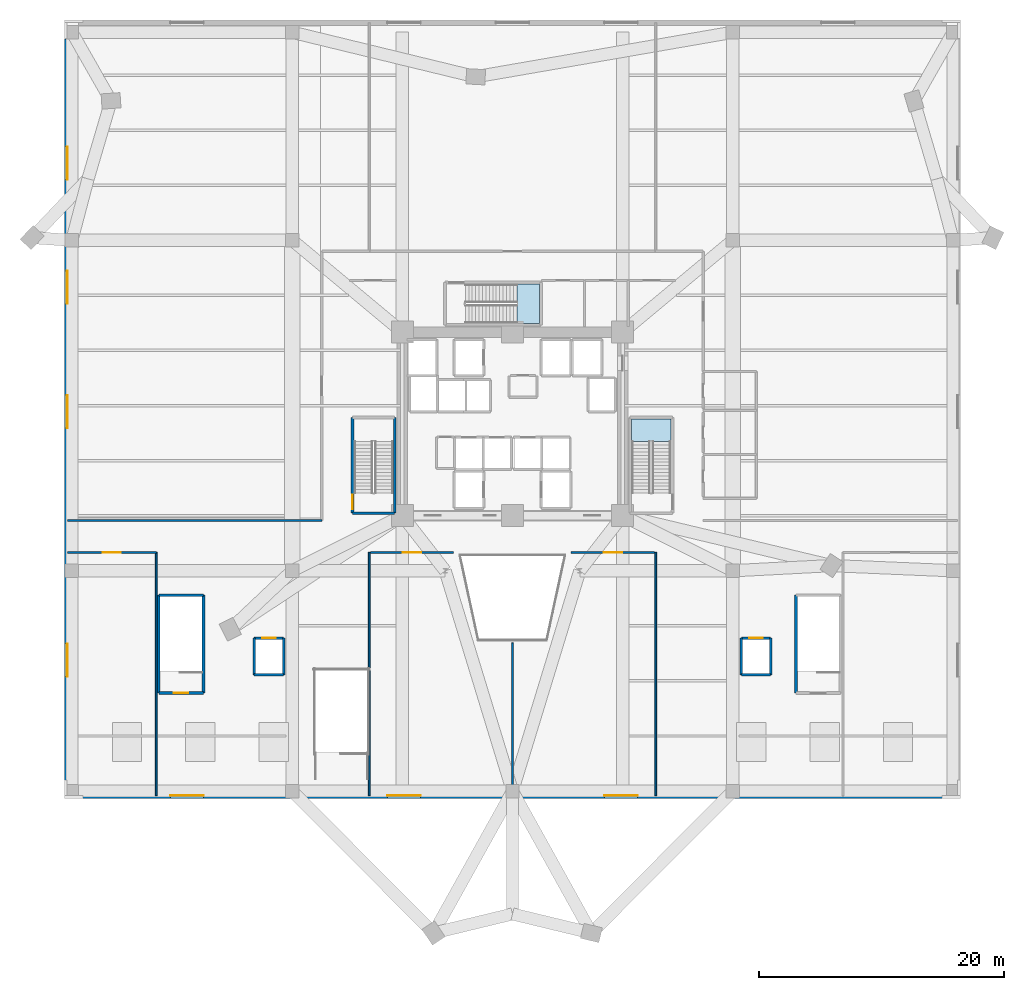
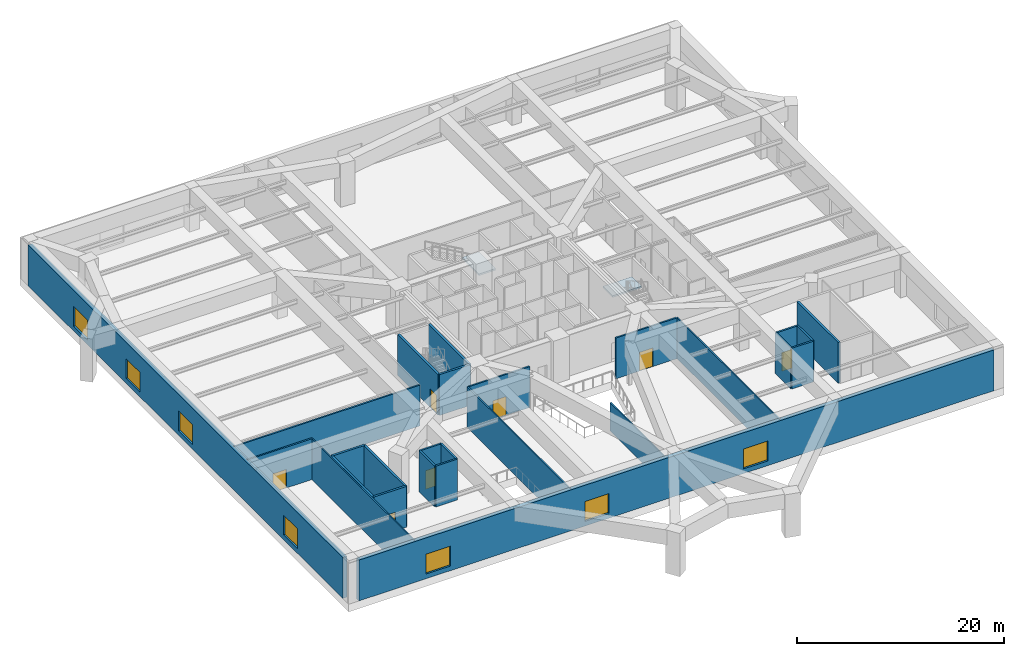
# One storey, part 5 of 14: 26 walls, 7 doors, 7 windows, 2 slabs, 14 openings, 2 elements without a shape of their own.
"""IFC4 building model written with IfcOpenShell, lengths in metres."""

from ifc_helpers import new_model, si_unit, direction, frame, frame_2d, origin, place, context, subcontext, project, spatial, polyline, rectangle, outline, extrude, source, transform, mapped, material, layer, layer_set, type_object, element, fill, aggregate, save


model = new_model("IFC4")

# Units and contexts
model_context = context("Model", 3, precision=1e-05, world=origin(), true_north=direction((0.0, 1.0)))
body_context = subcontext(model_context, "Body", "Model", "MODEL_VIEW")
ifc_project = project(units=[si_unit("LENGTHUNIT", "METRE"), si_unit("AREAUNIT", "SQUARE_METRE"), si_unit("VOLUMEUNIT", "CUBIC_METRE"), si_unit("PLANEANGLEUNIT", "RADIAN"), si_unit("MASSUNIT", "GRAM", prefix="KILO")], contexts=[model_context])

# Site, building, storey
site_placement = place(None, origin())
site = spatial("IfcSite", under=ifc_project, at=site_placement, CompositionType="ELEMENT")
building_placement = place(site_placement, origin())
building = spatial("IfcBuilding", under=site, at=building_placement, Name="Liaohun Quay Tower", CompositionType="ELEMENT")
storey_placement = place(building_placement, frame((0.0, 0.0, 23.39990234375)))
storey = spatial("IfcBuildingStorey", under=building, at=storey_placement, Name="L06", CompositionType="ELEMENT", Elevation=23.39990234375)

# Stair, slab
ifc_material_1 = material(Name="Concrete C45", Category="concrete")
stair_type = type_object("IfcStairType", Name="STR-CORE-CRN", PredefinedType="HALF_TURN_STAIR", material=ifc_material_1)
stair_1_placement = place(storey_placement, origin())
stair_1 = element("IfcStair", 1, at=stair_1_placement, inside=storey, type_object=stair_type, Name="L06 Smokeproof Core Exit Stair ST-2", PredefinedType="HALF_TURN_STAIR")
ifc_layer_1 = layer(ifc_material_1, 0.199951171875, Name="Concrete C45", Category="concrete")
ifc_layer_set_1 = layer_set([ifc_layer_1], Name="Concrete C45")
slab_type = type_object("IfcSlabType", Name="SLB-LND-200", PredefinedType="LANDING", material=ifc_layer_set_1)
slab_1_placement = place(storey_placement, frame((0.0, 0.0, 2.35009765625)))
slab_1 = element("IfcSlab", 2, at=slab_1_placement, type_object=slab_type, Name="ST-2 landing 1", PredefinedType="LANDING", context=body_context, shape_type="SweptSolid", body=[
    extrude(outline(polyline([(72.9599609375, 52.550048828125), (72.9599609375, 54.419921875), (69.719970703125, 54.419921875), (69.719970703125, 52.550048828125), (72.9599609375, 52.550048828125)])), origin(), (0.0, 0.0, 1.0), 0.199951171875),
])
aggregate(stair_1, [slab_1])

stair_2_placement = place(storey_placement, origin())
stair_2 = element("IfcStair", 3, at=stair_2_placement, inside=storey, type_object=stair_type, Name="L06 Smokeproof Core Exit Stair ST-3", PredefinedType="HALF_TURN_STAIR")
slab_2_placement = place(storey_placement, frame((0.0, 0.0, 2.35009765625)))
slab_2 = element("IfcSlab", 4, at=slab_2_placement, type_object=slab_type, Name="ST-3 landing 1", PredefinedType="LANDING", context=body_context, shape_type="SweptSolid", body=[
    extrude(outline(polyline([(60.35009765625, 62.199951171875), (62.219970703125, 62.199951171875), (62.219970703125, 65.43994140625), (60.35009765625, 65.43994140625), (60.35009765625, 62.199951171875)])), origin(), (0.0, 0.0, 1.0), 0.199951171875),
])
aggregate(stair_2, [slab_2])

# Wall, openings, windows
ifc_material_2 = material(Name="Precast concrete C50 with granite facing", Category="masonry")
ifc_layer_2 = layer(ifc_material_2, 0.4599609375, Name="Precast concrete C50 with granite facing", Category="masonry")
ifc_layer_set_2 = layer_set([ifc_layer_2], Name="Precast concrete C50 with granite facing")
wall_type_1 = type_object("IfcWallType", Name="WAL-EXT-POD", PredefinedType="SOLIDWALL", material=ifc_layer_set_2)
wall_1_placement = place(storey_placement, frame((23.6298828125, 85.4599609375, 0.0), z_axis=(0.0, 0.0, 1.0), x_axis=(0.0, -1.0, 0.0)))
wall_1 = element("IfcWall", 5, at=wall_1_placement, inside=storey, type_object=wall_type_1, Name="L06 Podium Precast Facade Wall 03", PredefinedType="SOLIDWALL", context=body_context, shape_type="SweptSolid", body=[
    extrude(rectangle(XDim=60.919921875, YDim=0.4599609375, at=frame_2d((30.4599609375, 0.0))), origin(), (0.0, 0.0, 1.0), 4.820068359375),
])
shared_shape_1 = source(origin(), body_context, "Body", "SweptSolid", [
    extrude(rectangle(XDim=2.699951171875, YDim=2.35009765625, at=frame_2d((1.35009765625, 1.175048828125))), frame((0.0, 0.239990234375, 0.0), z_axis=(0.0, -1.0, 0.0), x_axis=(1.0, 0.0, 0.0)), (0.0, 0.0, 1.0), 0.47998046875),
])
opening_1_placement = place(wall_1_placement, frame((8.802978515625, 0.0, 0.550048828125)))
opening_1 = element("IfcOpeningElement", 6, at=opening_1_placement, cuts=wall_1, Name="Opening W06", PredefinedType="OPENING", context=body_context, shape_type="MappedRepresentation", body=[
    mapped(shared_shape_1, transform((0.0, 0.0, 0.0), x_axis=(1.0, 0.0, 0.0), y_axis=(0.0, 1.0, 0.0), z_axis=(0.0, 0.0, 1.0), scale=1.0)),
])
opening_2_placement = place(wall_1_placement, frame((18.95703125, 0.0, 0.550048828125)))
opening_2 = element("IfcOpeningElement", 7, at=opening_2_placement, cuts=wall_1, Name="Opening W06", PredefinedType="OPENING", context=body_context, shape_type="MappedRepresentation", body=[
    mapped(shared_shape_1, transform((0.0, 0.0, 0.0), x_axis=(1.0, 0.0, 0.0), y_axis=(0.0, 1.0, 0.0), z_axis=(0.0, 0.0, 1.0), scale=1.0)),
])
opening_3_placement = place(wall_1_placement, frame((29.110107421875, 0.0, 0.550048828125)))
opening_3 = element("IfcOpeningElement", 8, at=opening_3_placement, cuts=wall_1, Name="Opening W06", PredefinedType="OPENING", context=body_context, shape_type="MappedRepresentation", body=[
    mapped(shared_shape_1, transform((0.0, 0.0, 0.0), x_axis=(1.0, 0.0, 0.0), y_axis=(0.0, 1.0, 0.0), z_axis=(0.0, 0.0, 1.0), scale=1.0)),
])
opening_4_placement = place(wall_1_placement, frame((49.4169921875, 0.0, 0.550048828125)))
opening_4 = element("IfcOpeningElement", 9, at=opening_4_placement, cuts=wall_1, Name="Opening W06", PredefinedType="OPENING", context=body_context, shape_type="MappedRepresentation", body=[
    mapped(shared_shape_1, transform((0.0, 0.0, 0.0), x_axis=(1.0, 0.0, 0.0), y_axis=(0.0, 1.0, 0.0), z_axis=(0.0, 0.0, 1.0), scale=1.0)),
])
ifc_material_3 = material(Name="Triple Low-E waterfront podium glazing", Category="glass")
window_type = type_object("IfcWindowType", Name="WIN-POD-ARC", PartitioningType="TRIPLE_PANEL_VERTICAL", PredefinedType="WINDOW", material=ifc_material_3)
shared_shape_2 = source(origin(), body_context, "Body", "SweptSolid", [
    extrude(rectangle(XDim=2.699951171875, YDim=2.35009765625, at=frame_2d((1.35009765625, 1.175048828125))), frame((0.0, 0.030029296875, 0.0), z_axis=(0.0, -1.0, 0.0), x_axis=(1.0, 0.0, 0.0)), (0.0, 0.0, 1.0), 0.06005859375),
])
window_1_placement = place(opening_1_placement, origin())
window_1 = element("IfcWindow", 10, at=window_1_placement, inside=storey, type_object=window_type, Name="L06 Podium Punched Window W06-03-01", OverallHeight=2.35009765625, OverallWidth=2.699951171875, PartitioningType="TRIPLE_PANEL_VERTICAL", PredefinedType="WINDOW", context=body_context, shape_type="MappedRepresentation", body=[
    mapped(shared_shape_2, transform((0.0, 0.0, 0.0), x_axis=(1.0, 0.0, 0.0), y_axis=(0.0, 1.0, 0.0), z_axis=(0.0, 0.0, 1.0), scale=1.0)),
])
fill(opening_1, window_1)
window_2_placement = place(opening_2_placement, origin())
window_2 = element("IfcWindow", 11, at=window_2_placement, inside=storey, type_object=window_type, Name="L06 Podium Punched Window W06-03-02", OverallHeight=2.35009765625, OverallWidth=2.699951171875, PartitioningType="TRIPLE_PANEL_VERTICAL", PredefinedType="WINDOW", context=body_context, shape_type="MappedRepresentation", body=[
    mapped(shared_shape_2, transform((0.0, 0.0, 0.0), x_axis=(1.0, 0.0, 0.0), y_axis=(0.0, 1.0, 0.0), z_axis=(0.0, 0.0, 1.0), scale=1.0)),
])
fill(opening_2, window_2)
window_3_placement = place(opening_3_placement, origin())
window_3 = element("IfcWindow", 12, at=window_3_placement, inside=storey, type_object=window_type, Name="L06 Podium Punched Window W06-03-03", OverallHeight=2.35009765625, OverallWidth=2.699951171875, PartitioningType="TRIPLE_PANEL_VERTICAL", PredefinedType="WINDOW", context=body_context, shape_type="MappedRepresentation", body=[
    mapped(shared_shape_2, transform((0.0, 0.0, 0.0), x_axis=(1.0, 0.0, 0.0), y_axis=(0.0, 1.0, 0.0), z_axis=(0.0, 0.0, 1.0), scale=1.0)),
])
fill(opening_3, window_3)
window_4_placement = place(opening_4_placement, origin())
window_4 = element("IfcWindow", 13, at=window_4_placement, inside=storey, type_object=window_type, Name="L06 Podium Punched Window W06-03-05", OverallHeight=2.35009765625, OverallWidth=2.699951171875, PartitioningType="TRIPLE_PANEL_VERTICAL", PredefinedType="WINDOW", context=body_context, shape_type="MappedRepresentation", body=[
    mapped(shared_shape_2, transform((0.0, 0.0, 0.0), x_axis=(1.0, 0.0, 0.0), y_axis=(0.0, 1.0, 0.0), z_axis=(0.0, 0.0, 1.0), scale=1.0)),
])
fill(opening_4, window_4)

wall_2_placement = place(storey_placement, frame((24.5400390625, 23.6298828125, 0.0), z_axis=(0.0, 0.0, 1.0), x_axis=(1.0, 0.0, 0.0)))
wall_2 = element("IfcWall", 14, at=wall_2_placement, inside=storey, type_object=wall_type_1, Name="L06 Podium Precast Facade Wall 04", PredefinedType="SOLIDWALL", context=body_context, shape_type="SweptSolid", body=[
    extrude(rectangle(XDim=70.919921875, YDim=0.4599609375, at=frame_2d((35.4599609375, 0.0))), origin(), (0.0, 0.0, 1.0), 4.820068359375),
])
opening_5_placement = place(wall_2_placement, frame((7.514892578125, 0.0, 0.550048828125)))
opening_5 = element("IfcOpeningElement", 15, at=opening_5_placement, cuts=wall_2, Name="Opening W06", PredefinedType="OPENING", context=body_context, shape_type="MappedRepresentation", body=[
    mapped(shared_shape_1, transform((0.0, 0.0, 0.0), x_axis=(1.0, 0.0, 0.0), y_axis=(0.0, 1.0, 0.0), z_axis=(0.0, 0.0, 1.0), scale=1.0)),
])
opening_6_placement = place(wall_2_placement, frame((25.2451171875, 0.0, 0.550048828125)))
opening_6 = element("IfcOpeningElement", 16, at=opening_6_placement, cuts=wall_2, Name="Opening W06", PredefinedType="OPENING", context=body_context, shape_type="MappedRepresentation", body=[
    mapped(shared_shape_1, transform((0.0, 0.0, 0.0), x_axis=(1.0, 0.0, 0.0), y_axis=(0.0, 1.0, 0.0), z_axis=(0.0, 0.0, 1.0), scale=1.0)),
])
opening_7_placement = place(wall_2_placement, frame((42.97509765625, 0.0, 0.550048828125)))
opening_7 = element("IfcOpeningElement", 17, at=opening_7_placement, cuts=wall_2, Name="Opening W06", PredefinedType="OPENING", context=body_context, shape_type="MappedRepresentation", body=[
    mapped(shared_shape_1, transform((0.0, 0.0, 0.0), x_axis=(1.0, 0.0, 0.0), y_axis=(0.0, 1.0, 0.0), z_axis=(0.0, 0.0, 1.0), scale=1.0)),
])
window_5_placement = place(opening_5_placement, origin())
window_5 = element("IfcWindow", 18, at=window_5_placement, inside=storey, type_object=window_type, Name="L06 Podium Punched Window W06-04-01", OverallHeight=2.35009765625, OverallWidth=2.699951171875, PartitioningType="TRIPLE_PANEL_VERTICAL", PredefinedType="WINDOW", context=body_context, shape_type="MappedRepresentation", body=[
    mapped(shared_shape_2, transform((0.0, 0.0, 0.0), x_axis=(1.0, 0.0, 0.0), y_axis=(0.0, 1.0, 0.0), z_axis=(0.0, 0.0, 1.0), scale=1.0)),
])
fill(opening_5, window_5)
window_6_placement = place(opening_6_placement, origin())
window_6 = element("IfcWindow", 19, at=window_6_placement, inside=storey, type_object=window_type, Name="L06 Podium Punched Window W06-04-03", OverallHeight=2.35009765625, OverallWidth=2.699951171875, PartitioningType="TRIPLE_PANEL_VERTICAL", PredefinedType="WINDOW", context=body_context, shape_type="MappedRepresentation", body=[
    mapped(shared_shape_2, transform((0.0, 0.0, 0.0), x_axis=(1.0, 0.0, 0.0), y_axis=(0.0, 1.0, 0.0), z_axis=(0.0, 0.0, 1.0), scale=1.0)),
])
fill(opening_6, window_6)
window_7_placement = place(opening_7_placement, origin())
window_7 = element("IfcWindow", 20, at=window_7_placement, inside=storey, type_object=window_type, Name="L06 Podium Punched Window W06-04-05", OverallHeight=2.35009765625, OverallWidth=2.699951171875, PartitioningType="TRIPLE_PANEL_VERTICAL", PredefinedType="WINDOW", context=body_context, shape_type="MappedRepresentation", body=[
    mapped(shared_shape_2, transform((0.0, 0.0, 0.0), x_axis=(1.0, 0.0, 0.0), y_axis=(0.0, 1.0, 0.0), z_axis=(0.0, 0.0, 1.0), scale=1.0)),
])
fill(opening_7, window_7)

# Wall, opening, door
ifc_material_4 = material(Name="Autoclaved aerated concrete blockwork", Category="masonry")
ifc_layer_3 = layer(ifc_material_4, 0.179931640625, Name="Autoclaved aerated concrete blockwork", Category="masonry")
ifc_layer_set_3 = layer_set([ifc_layer_3], Name="Autoclaved aerated concrete blockwork")
wall_type_2 = type_object("IfcWallType", Name="WAL-PRT-COR", PredefinedType="PARTITIONING", material=ifc_layer_set_3)
wall_3_placement = place(storey_placement, frame((48.39990234375, 43.5, 0.0), z_axis=(0.0, 0.0, 1.0), x_axis=(1.0, 0.0, 0.0)))
wall_3 = element("IfcWall", 21, at=wall_3_placement, inside=storey, type_object=wall_type_2, Name="L06 Interior Partition Wall 010", PredefinedType="PARTITIONING", context=body_context, shape_type="SweptSolid", body=[
    extrude(rectangle(XDim=6.800048828125, YDim=0.179931640625, at=frame_2d((3.39990234375, 0.0))), origin(), (0.0, 0.0, 1.0), 4.820068359375),
])
shared_shape_3 = source(origin(), body_context, "Body", "SweptSolid", [
    extrude(rectangle(XDim=1.5, YDim=2.199951171875, at=frame_2d((0.75, 1.10009765625))), frame((0.0, 0.099853515625, 0.0), z_axis=(0.0, -1.0, 0.0), x_axis=(1.0, 0.0, 0.0)), (0.0, 0.0, 1.0), 0.199951171875),
])
opening_8_placement = place(wall_3_placement, frame((2.64990234375, 0.0, 0.0)))
opening_8 = element("IfcOpeningElement", 22, at=opening_8_placement, cuts=wall_3, Name="Opening OD2", PredefinedType="OPENING", context=body_context, shape_type="MappedRepresentation", body=[
    mapped(shared_shape_3, transform((0.0, 0.0, 0.0), x_axis=(1.0, 0.0, 0.0), y_axis=(0.0, 1.0, 0.0), z_axis=(0.0, 0.0, 1.0), scale=1.0)),
])
ifc_material_5 = material(Name="Acoustic oak veneer double door")
door_type_1 = type_object("IfcDoorType", Name="DOR-OFF-1500", OperationType="DOUBLE_DOOR_SINGLE_SWING", PredefinedType="DOOR", material=ifc_material_5)
shared_shape_4 = source(origin(), body_context, "Body", "SweptSolid", [
    extrude(rectangle(XDim=1.5, YDim=2.199951171875, at=frame_2d((0.75, 1.10009765625))), frame((0.0, 0.02490234375, 0.0), z_axis=(0.0, -1.0, 0.0), x_axis=(1.0, 0.0, 0.0)), (0.0, 0.0, 1.0), 0.050048828125),
])
door_1_placement = place(opening_8_placement, origin())
door_1 = element("IfcDoor", 23, at=door_1_placement, inside=storey, type_object=door_type_1, Name="L06 Atrium Overlook Lounge West Door", OperationType="DOUBLE_DOOR_SINGLE_SWING", OverallHeight=2.199951171875, OverallWidth=1.5, PredefinedType="DOOR", context=body_context, shape_type="MappedRepresentation", body=[
    mapped(shared_shape_4, transform((0.0, 0.0, 0.0), x_axis=(1.0, 0.0, 0.0), y_axis=(0.0, 1.0, 0.0), z_axis=(0.0, 0.0, 1.0), scale=1.0)),
])
fill(opening_8, door_1)

wall_4_placement = place(storey_placement, frame((64.800048828125, 43.5, 0.0), z_axis=(0.0, 0.0, 1.0), x_axis=(1.0, 0.0, 0.0)))
wall_4 = element("IfcWall", 24, at=wall_4_placement, inside=storey, type_object=wall_type_2, Name="L06 Interior Partition Wall 011", PredefinedType="PARTITIONING", context=body_context, shape_type="SweptSolid", body=[
    extrude(rectangle(XDim=6.800048828125, YDim=0.179931640625, at=frame_2d((3.39990234375, 0.0))), origin(), (0.0, 0.0, 1.0), 4.820068359375),
])
opening_9_placement = place(wall_4_placement, frame((2.64990234375, 0.0, 0.0)))
opening_9 = element("IfcOpeningElement", 25, at=opening_9_placement, cuts=wall_4, Name="Opening OD2", PredefinedType="OPENING", context=body_context, shape_type="MappedRepresentation", body=[
    mapped(shared_shape_3, transform((0.0, 0.0, 0.0), x_axis=(1.0, 0.0, 0.0), y_axis=(0.0, 1.0, 0.0), z_axis=(0.0, 0.0, 1.0), scale=1.0)),
])
door_2_placement = place(opening_9_placement, origin())
door_2 = element("IfcDoor", 26, at=door_2_placement, inside=storey, type_object=door_type_1, Name="L06 Atrium Overlook Lounge East Door", OperationType="DOUBLE_DOOR_SINGLE_SWING", OverallHeight=2.199951171875, OverallWidth=1.5, PredefinedType="DOOR", context=body_context, shape_type="MappedRepresentation", body=[
    mapped(shared_shape_4, transform((0.0, 0.0, 0.0), x_axis=(1.0, 0.0, 0.0), y_axis=(0.0, 1.0, 0.0), z_axis=(0.0, 0.0, 1.0), scale=1.0)),
])
fill(opening_9, door_2)

wall_5_placement = place(storey_placement, frame((23.625, 43.5, 0.0), z_axis=(0.0, 0.0, 1.0), x_axis=(1.0, 0.0, 0.0)))
wall_5 = element("IfcWall", 27, at=wall_5_placement, inside=storey, type_object=wall_type_2, Name="L06 Interior Partition Wall 012", PredefinedType="PARTITIONING", context=body_context, shape_type="SweptSolid", body=[
    extrude(rectangle(XDim=7.27490234375, YDim=0.179931640625, at=frame_2d((3.637451171875, 0.0))), origin(), (0.0, 0.0, 1.0), 4.820068359375),
])
opening_10_placement = place(wall_5_placement, frame((2.886962890625, 0.0, 0.0)))
opening_10 = element("IfcOpeningElement", 28, at=opening_10_placement, cuts=wall_5, Name="Opening OD2", PredefinedType="OPENING", context=body_context, shape_type="MappedRepresentation", body=[
    mapped(shared_shape_3, transform((0.0, 0.0, 0.0), x_axis=(1.0, 0.0, 0.0), y_axis=(0.0, 1.0, 0.0), z_axis=(0.0, 0.0, 1.0), scale=1.0)),
])
door_3_placement = place(opening_10_placement, origin())
door_3 = element("IfcDoor", 29, at=door_3_placement, inside=storey, type_object=door_type_1, Name="L06 Staff Refreshment Lounge Door", OperationType="DOUBLE_DOOR_SINGLE_SWING", OverallHeight=2.199951171875, OverallWidth=1.5, PredefinedType="DOOR", context=body_context, shape_type="MappedRepresentation", body=[
    mapped(shared_shape_4, transform((0.0, 0.0, 0.0), x_axis=(1.0, 0.0, 0.0), y_axis=(0.0, 1.0, 0.0), z_axis=(0.0, 0.0, 1.0), scale=1.0)),
])
fill(opening_10, door_3)

# Walls
wall_6_placement = place(storey_placement, frame((23.625, 46.10009765625, 0.0), z_axis=(0.0, 0.0, 1.0), x_axis=(1.0, 0.0, 0.0)))
element("IfcWall", 30, at=wall_6_placement, inside=storey, type_object=wall_type_2, Name="L06 Interior Partition Wall 027", PredefinedType="PARTITIONING", context=body_context, shape_type="SweptSolid", body=[
    extrude(rectangle(XDim=20.794921875, YDim=0.179931640625, at=frame_2d((10.3974609375, 0.0))), origin(), (0.0, 0.0, 1.0), 4.820068359375),
])
ifc_material_6 = material(Name="Gypsum board on twin steel studs", Category="steel")
ifc_layer_4 = layer(ifc_material_6, 0.139892578125, Name="Gypsum board on twin steel studs", Category="steel")
ifc_layer_set_4 = layer_set([ifc_layer_4], Name="Gypsum board on twin steel studs")
wall_type_3 = type_object("IfcWallType", Name="WAL-PRT-OFF", PredefinedType="PARTITIONING", material=ifc_layer_set_4)
for number, where, z_axis, x_axis, name in (
    (31, (30.89990234375, 23.625, 0.0), (0.0, 0.0, 1.0), (0.0, 1.0, 0.0), "L06 Interior Partition Wall 031"),
    (32, (48.300048828125, 23.625, 0.0), (0.0, 0.0, 1.0), (0.0, 1.0, 0.0), "L06 Interior Partition Wall 033"),
    (33, (71.699951171875, 23.625, 0.0), (0.0, 0.0, 1.0), (0.0, 1.0, 0.0), "L06 Interior Partition Wall 034"),
):
    element("IfcWall", number, at=place(storey_placement, frame(where, z_axis=z_axis, x_axis=x_axis)), inside=storey, type_object=wall_type_3, Name=name, PredefinedType="PARTITIONING", context=body_context, shape_type="SweptSolid", body=[
        extrude(rectangle(XDim=19.875, YDim=0.139892578125, at=frame_2d((9.9375, 0.0))), origin(), (0.0, 0.0, 1.0), 4.820068359375),
    ])
wall_7_placement = place(storey_placement, frame((60.0, 23.625, 0.0), z_axis=(0.0, 0.0, 1.0), x_axis=(0.0, 1.0, 0.0)))
element("IfcWall", 34, at=wall_7_placement, inside=storey, type_object=wall_type_3, Name="L06 Interior Partition Wall 035", PredefinedType="PARTITIONING", context=body_context, shape_type="SweptSolid", body=[
    extrude(rectangle(XDim=12.47509765625, YDim=0.139892578125, at=frame_2d((6.237548828125, 0.0))), origin(), (0.0, 0.0, 1.0), 3.335205078125),
])
ifc_material_7 = material(Name="Concrete C50", Category="concrete")
ifc_layer_5 = layer(ifc_material_7, 0.239990234375, Name="Concrete C50", Category="concrete")
ifc_layer_set_5 = layer_set([ifc_layer_5], Name="Concrete C50")
wall_type_4 = type_object("IfcWallType", Name="WAL-SHF-200", PredefinedType="SOLIDWALL", material=ifc_layer_set_5)
wall_8_placement = place(storey_placement, frame((46.93994140625, 46.699951171875, 0.0), z_axis=(0.0, 0.0, 1.0), x_axis=(1.0, 0.0, 0.0)))
element("IfcWall", 35, at=wall_8_placement, inside=storey, type_object=wall_type_4, Name="L06 Stairwell ST-1 Structural Core Wall S", PredefinedType="SOLIDWALL", context=body_context, shape_type="SweptSolid", body=[
    extrude(rectangle(XDim=3.43994140625, YDim=0.239990234375, at=frame_2d((1.719970703125, 0.0))), origin(), (0.0, 0.0, 1.0), 4.820068359375),
])
wall_9_placement = place(storey_placement, frame((50.3798828125, 46.699951171875, 0.0), z_axis=(0.0, 0.0, 1.0), x_axis=(0.0, 1.0, 0.0)))
element("IfcWall", 36, at=wall_9_placement, inside=storey, type_object=wall_type_4, Name="L06 Stairwell ST-1 Structural Core Wall E", PredefinedType="SOLIDWALL", context=body_context, shape_type="SweptSolid", body=[
    extrude(rectangle(XDim=7.820068359375, YDim=0.239990234375, at=frame_2d((3.91015625, 0.0))), origin(), (0.0, 0.0, 1.0), 4.820068359375),
])

# Wall, opening, door
wall_10_placement = place(storey_placement, frame((46.93994140625, 54.52001953125, 0.0), z_axis=(0.0, 0.0, 1.0), x_axis=(0.0, -1.0, 0.0)))
wall_10 = element("IfcWall", 37, at=wall_10_placement, inside=storey, type_object=wall_type_4, Name="L06 Stairwell ST-1 Structural Core Wall W", PredefinedType="SOLIDWALL", context=body_context, shape_type="SweptSolid", body=[
    extrude(rectangle(XDim=7.820068359375, YDim=0.239990234375, at=frame_2d((3.91015625, 0.0))), origin(), (0.0, 0.0, 1.0), 4.820068359375),
])
shared_shape_5 = source(origin(), body_context, "Body", "SweptSolid", [
    extrude(rectangle(XDim=1.199951171875, YDim=2.199951171875, at=frame_2d((0.60009765625, 1.10009765625))), frame((0.0, 0.1298828125, 0.0), z_axis=(0.0, -1.0, 0.0), x_axis=(1.0, 0.0, 0.0)), (0.0, 0.0, 1.0), 0.260009765625),
])
opening_11_placement = place(wall_10_placement, frame((6.300048828125, 0.0, 0.0)))
opening_11 = element("IfcOpeningElement", 38, at=opening_11_placement, cuts=wall_10, Name="Opening SD1", PredefinedType="OPENING", context=body_context, shape_type="MappedRepresentation", body=[
    mapped(shared_shape_5, transform((0.0, 0.0, 0.0), x_axis=(1.0, 0.0, 0.0), y_axis=(0.0, 1.0, 0.0), z_axis=(0.0, 0.0, 1.0), scale=1.0)),
])
ifc_material_8 = material(Name="Galvanised steel fire door", Category="steel")
door_type_2 = type_object("IfcDoorType", Name="DOR-STR-1200", OperationType="NOTDEFINED", PredefinedType="DOOR", material=ifc_material_8)
shared_shape_6 = source(origin(), body_context, "Body", "SweptSolid", [
    extrude(rectangle(XDim=1.199951171875, YDim=2.199951171875, at=frame_2d((0.60009765625, 1.10009765625))), frame((0.0, 0.02490234375, 0.0), z_axis=(0.0, -1.0, 0.0), x_axis=(1.0, 0.0, 0.0)), (0.0, 0.0, 1.0), 0.050048828125),
])
door_4_placement = place(opening_11_placement, origin())
door_4 = element("IfcDoor", 39, at=door_4_placement, inside=storey, type_object=door_type_2, Name="L06 Protected Stair ST-1 Fire Door", OperationType="SINGLE_SWING_LEFT", OverallHeight=2.199951171875, OverallWidth=1.199951171875, PredefinedType="DOOR", context=body_context, shape_type="MappedRepresentation", body=[
    mapped(shared_shape_6, transform((0.0, 0.0, 0.0), x_axis=(1.0, 0.0, 0.0), y_axis=(0.0, 1.0, 0.0), z_axis=(0.0, 0.0, 1.0), scale=1.0)),
])
fill(opening_11, door_4)

wall_11_placement = place(storey_placement, frame((31.10009765625, 32.0, 0.0), z_axis=(0.0, 0.0, 1.0), x_axis=(1.0, 0.0, 0.0)))
wall_11 = element("IfcWall", 40, at=wall_11_placement, inside=storey, type_object=wall_type_4, Name="L06 Stairwell ST-P1 Structural Core Wall S", PredefinedType="SOLIDWALL", context=body_context, shape_type="SweptSolid", body=[
    extrude(rectangle(XDim=3.639892578125, YDim=0.239990234375, at=frame_2d((1.81982421875, 0.0))), origin(), (0.0, 0.0, 1.0), 4.820068359375),
])
opening_12_placement = place(wall_11_placement, frame((1.219970703125, 0.0, 0.0)))
opening_12 = element("IfcOpeningElement", 41, at=opening_12_placement, cuts=wall_11, Name="Opening SD1", PredefinedType="OPENING", context=body_context, shape_type="MappedRepresentation", body=[
    mapped(shared_shape_5, transform((0.0, 0.0, 0.0), x_axis=(1.0, 0.0, 0.0), y_axis=(0.0, 1.0, 0.0), z_axis=(0.0, 0.0, 1.0), scale=1.0)),
])
door_5_placement = place(opening_12_placement, origin())
door_5 = element("IfcDoor", 42, at=door_5_placement, inside=storey, type_object=door_type_2, Name="L06 Protected Stair ST-P1 Fire Door", OperationType="SINGLE_SWING_LEFT", OverallHeight=2.199951171875, OverallWidth=1.199951171875, PredefinedType="DOOR", context=body_context, shape_type="MappedRepresentation", body=[
    mapped(shared_shape_6, transform((0.0, 0.0, 0.0), x_axis=(1.0, 0.0, 0.0), y_axis=(0.0, 1.0, 0.0), z_axis=(0.0, 0.0, 1.0), scale=1.0)),
])
fill(opening_12, door_5)

# Walls
wall_12_placement = place(storey_placement, frame((34.739990234375, 32.0, 0.0), z_axis=(0.0, 0.0, 1.0), x_axis=(0.0, 1.0, 0.0)))
element("IfcWall", 43, at=wall_12_placement, inside=storey, type_object=wall_type_4, Name="L06 Stairwell ST-P1 Structural Core Wall E", PredefinedType="SOLIDWALL", context=body_context, shape_type="SweptSolid", body=[
    extrude(rectangle(XDim=8.0, YDim=0.239990234375, at=frame_2d((4.0, 0.0))), origin(), (0.0, 0.0, 1.0), 4.820068359375),
])
wall_13_placement = place(storey_placement, frame((34.739990234375, 40.0, 0.0), z_axis=(0.0, 0.0, 1.0), x_axis=(-1.0, 0.0, 0.0)))
element("IfcWall", 44, at=wall_13_placement, inside=storey, type_object=wall_type_4, Name="L06 Stairwell ST-P1 Structural Core Wall N", PredefinedType="SOLIDWALL", context=body_context, shape_type="SweptSolid", body=[
    extrude(rectangle(XDim=3.639892578125, YDim=0.239990234375, at=frame_2d((1.81982421875, 0.0))), origin(), (0.0, 0.0, 1.0), 4.820068359375),
])
for number, where, z_axis, x_axis, name in (
    (45, (31.10009765625, 40.0, 0.0), (0.0, 0.0, 1.0), (0.0, -1.0, 0.0), "L06 Stairwell ST-P1 Structural Core Wall W"),
    (46, (83.159912109375, 40.0, 0.0), (0.0, 0.0, 1.0), (0.0, -1.0, 0.0), "L06 Stairwell ST-P2 Structural Core Wall W"),
):
    element("IfcWall", number, at=place(storey_placement, frame(where, z_axis=z_axis, x_axis=x_axis)), inside=storey, type_object=wall_type_4, Name=name, PredefinedType="SOLIDWALL", context=body_context, shape_type="SweptSolid", body=[
        extrude(rectangle(XDim=8.0, YDim=0.239990234375, at=frame_2d((4.0, 0.0))), origin(), (0.0, 0.0, 1.0), 4.820068359375),
    ])
wall_14_placement = place(storey_placement, frame((38.89990234375, 33.5, 0.0), z_axis=(0.0, 0.0, 1.0), x_axis=(1.0, 0.0, 0.0)))
element("IfcWall", 47, at=wall_14_placement, inside=storey, type_object=wall_type_4, Name="L06 Lift PD-01 Hoistway Wall S", PredefinedType="SOLIDWALL", context=body_context, shape_type="SweptSolid", body=[
    extrude(rectangle(XDim=2.400146484375, YDim=0.199951171875, at=frame_2d((1.2001953125, 0.0))), origin(), (0.0, 0.0, 1.0), 4.820068359375),
])
wall_15_placement = place(storey_placement, frame((41.300048828125, 33.5, 0.0), z_axis=(0.0, 0.0, 1.0), x_axis=(0.0, 1.0, 0.0)))
element("IfcWall", 48, at=wall_15_placement, inside=storey, type_object=wall_type_4, Name="L06 Lift PD-01 Hoistway Wall E", PredefinedType="SOLIDWALL", context=body_context, shape_type="SweptSolid", body=[
    extrude(rectangle(XDim=3.0, YDim=0.199951171875, at=frame_2d((1.5, 0.0))), origin(), (0.0, 0.0, 1.0), 4.820068359375),
])

# Wall, opening, door
wall_16_placement = place(storey_placement, frame((41.300048828125, 36.5, 0.0), z_axis=(0.0, 0.0, 1.0), x_axis=(-1.0, 0.0, 0.0)))
wall_16 = element("IfcWall", 49, at=wall_16_placement, inside=storey, type_object=wall_type_4, Name="L06 Lift PD-01 Hoistway Wall N", PredefinedType="SOLIDWALL", context=body_context, shape_type="SweptSolid", body=[
    extrude(rectangle(XDim=2.400146484375, YDim=0.199951171875, at=frame_2d((1.2001953125, 0.0))), origin(), (0.0, 0.0, 1.0), 4.820068359375),
])
shared_shape_7 = source(origin(), body_context, "Body", "SweptSolid", [
    extrude(rectangle(XDim=1.10009765625, YDim=2.199951171875, at=frame_2d((0.550048828125, 1.10009765625))), frame((0.0, 0.10986328125, 0.0), z_axis=(0.0, -1.0, 0.0), x_axis=(1.0, 0.0, 0.0)), (0.0, 0.0, 1.0), 0.219970703125),
])
opening_13_placement = place(wall_16_placement, frame((0.64990234375, 0.0, 0.0)))
opening_13 = element("IfcOpeningElement", 50, at=opening_13_placement, cuts=wall_16, Name="Opening LD1", PredefinedType="OPENING", context=body_context, shape_type="MappedRepresentation", body=[
    mapped(shared_shape_7, transform((0.0, 0.0, 0.0), x_axis=(1.0, 0.0, 0.0), y_axis=(0.0, 1.0, 0.0), z_axis=(0.0, 0.0, 1.0), scale=1.0)),
])
ifc_material_9 = material(Name="Brushed stainless steel landing door", Category="steel")
door_type_3 = type_object("IfcDoorType", Name="DOR-LFT-1100", OperationType="SLIDING_TO_LEFT", PredefinedType="DOOR", material=ifc_material_9)
shared_shape_8 = source(origin(), body_context, "Body", "SweptSolid", [
    extrude(rectangle(XDim=1.10009765625, YDim=2.199951171875, at=frame_2d((0.550048828125, 1.10009765625))), frame((0.0, 0.02490234375, 0.0), z_axis=(0.0, -1.0, 0.0), x_axis=(1.0, 0.0, 0.0)), (0.0, 0.0, 1.0), 0.050048828125),
])
door_6_placement = place(opening_13_placement, origin())
door_6 = element("IfcDoor", 51, at=door_6_placement, inside=storey, type_object=door_type_3, Name="L06 Lift PD-01 Sliding Landing Door", OperationType="SLIDING_TO_LEFT", OverallHeight=2.199951171875, OverallWidth=1.10009765625, PredefinedType="DOOR", context=body_context, shape_type="MappedRepresentation", body=[
    mapped(shared_shape_8, transform((0.0, 0.0, 0.0), x_axis=(1.0, 0.0, 0.0), y_axis=(0.0, 1.0, 0.0), z_axis=(0.0, 0.0, 1.0), scale=1.0)),
])
fill(opening_13, door_6)

# Walls
wall_17_placement = place(storey_placement, frame((38.89990234375, 36.5, 0.0), z_axis=(0.0, 0.0, 1.0), x_axis=(0.0, -1.0, 0.0)))
element("IfcWall", 52, at=wall_17_placement, inside=storey, type_object=wall_type_4, Name="L06 Lift PD-01 Hoistway Wall W", PredefinedType="SOLIDWALL", context=body_context, shape_type="SweptSolid", body=[
    extrude(rectangle(XDim=3.0, YDim=0.199951171875, at=frame_2d((1.5, 0.0))), origin(), (0.0, 0.0, 1.0), 4.820068359375),
])
wall_18_placement = place(storey_placement, frame((78.699951171875, 33.5, 0.0), z_axis=(0.0, 0.0, 1.0), x_axis=(1.0, 0.0, 0.0)))
element("IfcWall", 53, at=wall_18_placement, inside=storey, type_object=wall_type_4, Name="L06 Lift PD-02 Hoistway Wall S", PredefinedType="SOLIDWALL", context=body_context, shape_type="SweptSolid", body=[
    extrude(rectangle(XDim=2.400146484375, YDim=0.199951171875, at=frame_2d((1.2001953125, 0.0))), origin(), (0.0, 0.0, 1.0), 4.820068359375),
])
wall_19_placement = place(storey_placement, frame((81.10009765625, 33.5, 0.0), z_axis=(0.0, 0.0, 1.0), x_axis=(0.0, 1.0, 0.0)))
element("IfcWall", 54, at=wall_19_placement, inside=storey, type_object=wall_type_4, Name="L06 Lift PD-02 Hoistway Wall E", PredefinedType="SOLIDWALL", context=body_context, shape_type="SweptSolid", body=[
    extrude(rectangle(XDim=3.0, YDim=0.199951171875, at=frame_2d((1.5, 0.0))), origin(), (0.0, 0.0, 1.0), 4.820068359375),
])

# Wall, opening, door
wall_20_placement = place(storey_placement, frame((81.10009765625, 36.5, 0.0), z_axis=(0.0, 0.0, 1.0), x_axis=(-1.0, 0.0, 0.0)))
wall_20 = element("IfcWall", 55, at=wall_20_placement, inside=storey, type_object=wall_type_4, Name="L06 Lift PD-02 Hoistway Wall N", PredefinedType="SOLIDWALL", context=body_context, shape_type="SweptSolid", body=[
    extrude(rectangle(XDim=2.400146484375, YDim=0.199951171875, at=frame_2d((1.2001953125, 0.0))), origin(), (0.0, 0.0, 1.0), 4.820068359375),
])
opening_14_placement = place(wall_20_placement, frame((0.64990234375, 0.0, 0.0)))
opening_14 = element("IfcOpeningElement", 56, at=opening_14_placement, cuts=wall_20, Name="Opening LD1", PredefinedType="OPENING", context=body_context, shape_type="MappedRepresentation", body=[
    mapped(shared_shape_7, transform((0.0, 0.0, 0.0), x_axis=(1.0, 0.0, 0.0), y_axis=(0.0, 1.0, 0.0), z_axis=(0.0, 0.0, 1.0), scale=1.0)),
])
door_7_placement = place(opening_14_placement, origin())
door_7 = element("IfcDoor", 57, at=door_7_placement, inside=storey, type_object=door_type_3, Name="L06 Lift PD-02 Sliding Landing Door", OperationType="SLIDING_TO_LEFT", OverallHeight=2.199951171875, OverallWidth=1.10009765625, PredefinedType="DOOR", context=body_context, shape_type="MappedRepresentation", body=[
    mapped(shared_shape_8, transform((0.0, 0.0, 0.0), x_axis=(1.0, 0.0, 0.0), y_axis=(0.0, 1.0, 0.0), z_axis=(0.0, 0.0, 1.0), scale=1.0)),
])
fill(opening_14, door_7)

# Wall
wall_21_placement = place(storey_placement, frame((78.699951171875, 36.5, 0.0), z_axis=(0.0, 0.0, 1.0), x_axis=(0.0, -1.0, 0.0)))
element("IfcWall", 58, at=wall_21_placement, inside=storey, type_object=wall_type_4, Name="L06 Lift PD-02 Hoistway Wall W", PredefinedType="SOLIDWALL", context=body_context, shape_type="SweptSolid", body=[
    extrude(rectangle(XDim=3.0, YDim=0.199951171875, at=frame_2d((1.5, 0.0))), origin(), (0.0, 0.0, 1.0), 4.820068359375),
])

save(model, "model.ifc")
